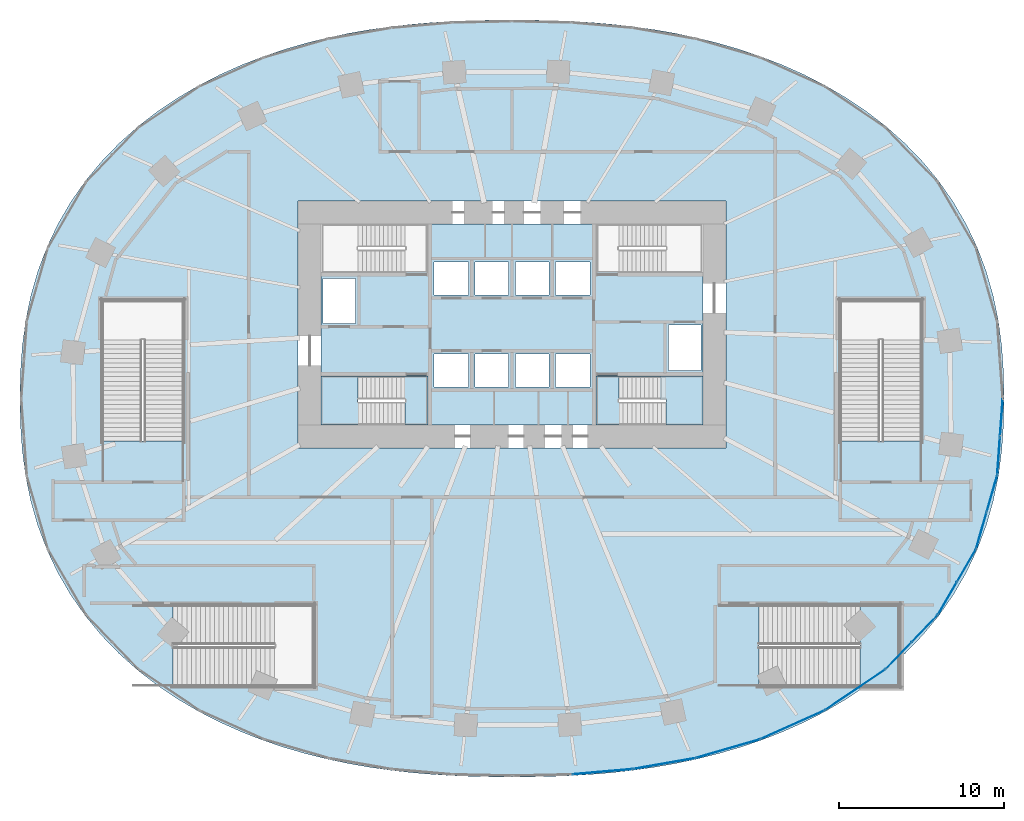
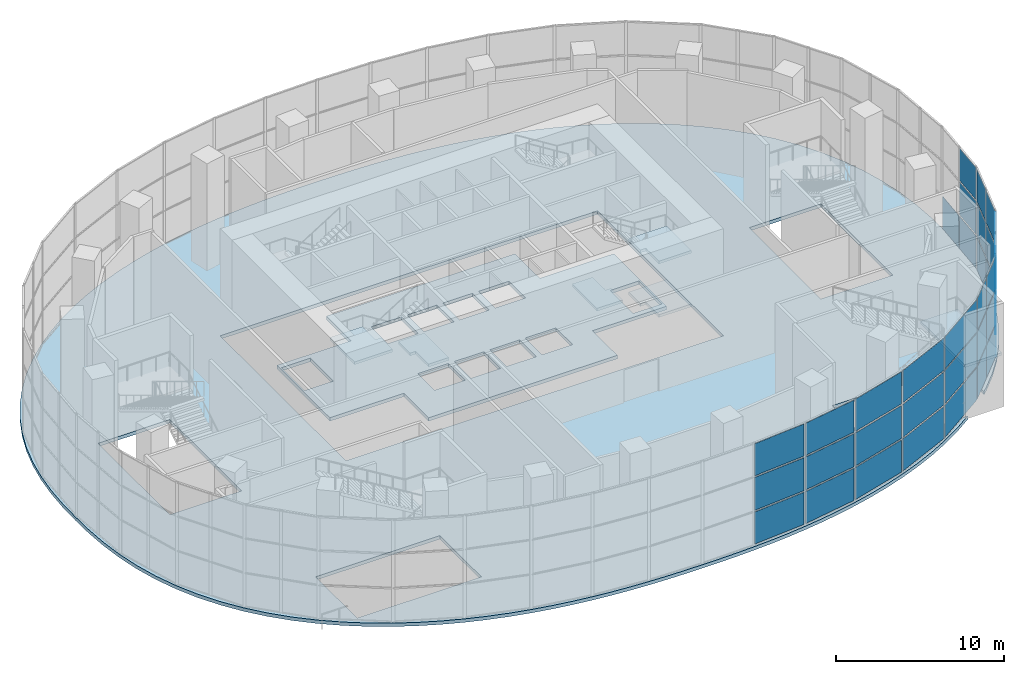
# One storey, part 11 of 22: 37 plates, 8 slabs, 12 elements without a shape of their own.
"""IFC4 building model written with IfcOpenShell, lengths in metres."""

from ifc_helpers import new_model, si_unit, direction, frame, origin, origin_2d, place, context, subcontext, project, spatial, polyline, rectangle, outline, extrude, material, layer, layer_set, type_object, element, aggregate, save


model = new_model("IFC4")

# Units and contexts
model_context = context("Model", 3, precision=1e-05, world=origin(), true_north=direction((0.0, 1.0)))
body_context = subcontext(model_context, "Body", "Model", "MODEL_VIEW")
ifc_project = project(units=[si_unit("LENGTHUNIT", "METRE"), si_unit("AREAUNIT", "SQUARE_METRE"), si_unit("VOLUMEUNIT", "CUBIC_METRE"), si_unit("PLANEANGLEUNIT", "RADIAN"), si_unit("MASSUNIT", "GRAM", prefix="KILO")], contexts=[model_context])

# Site, building, storey
site_placement = place(None, origin())
site = spatial("IfcSite", under=ifc_project, at=site_placement, CompositionType="ELEMENT")
building_placement = place(site_placement, origin())
building = spatial("IfcBuilding", under=site, at=building_placement, Name="Rubra Terraces Tower", CompositionType="ELEMENT")
storey_placement = place(building_placement, frame((0.0, 0.0, 7.199951171875)))
storey = spatial("IfcBuildingStorey", under=building, at=storey_placement, Name="L01", CompositionType="ELEMENT", Elevation=7.199951171875)

# Slab
ifc_material_1 = material(Name="Concrete C40", Category="concrete")
ifc_layer_1 = layer(ifc_material_1, 0.25)
ifc_layer_set_1 = layer_set([ifc_layer_1], Name="Concrete C40")
slab_type_1 = type_object("IfcSlabType", Name="Core floor slab 250 concrete", PredefinedType="FLOOR", material=ifc_layer_set_1)
slab_1_placement = place(storey_placement, frame((0.0, 0.0, -0.25)))
element("IfcSlab", 1, at=slab_1_placement, inside=storey, type_object=slab_type_1, Name="CORE FLOOR SLAB L01", PredefinedType="FLOOR", context=body_context, shape_type="SweptSolid", body=[
    extrude(outline(polyline([(-11.60009765625, 1.347900390625), (-11.60009765625, 7.652099609375), (-6.501953125, 7.652099609375), (-6.501953125, 10.60009765625), (6.501953125, 10.60009765625), (6.501953125, 7.652099609375), (11.60009765625, 7.652099609375), (11.60009765625, 1.347900390625), (6.501953125, 1.347900390625), (6.501953125, -1.60009765625), (-6.501953125, -1.60009765625), (-6.501953125, 1.347900390625), (-11.60009765625, 1.347900390625)]), holes=[polyline([(9.5, 1.699951171875), (11.5, 1.699951171875), (11.5, 4.449951171875), (9.5, 4.449951171875), (9.5, 1.699951171875)]), polyline([(4.75, 0.699951171875), (4.75, 2.699951171875), (2.64990234375, 2.699951171875), (2.64990234375, 0.699951171875), (4.75, 0.699951171875)]), polyline([(4.75, 6.300048828125), (4.75, 8.300048828125), (2.64990234375, 8.300048828125), (2.64990234375, 6.300048828125), (4.75, 6.300048828125)]), polyline([(2.25, 0.699951171875), (2.25, 2.699951171875), (0.199951171875, 2.699951171875), (0.199951171875, 0.699951171875), (2.25, 0.699951171875)]), polyline([(2.25, 6.300048828125), (2.25, 8.300048828125), (0.199951171875, 8.300048828125), (0.199951171875, 6.300048828125), (2.25, 6.300048828125)]), polyline([(-0.199951171875, 0.699951171875), (-0.199951171875, 2.699951171875), (-2.25, 2.699951171875), (-2.25, 0.699951171875), (-0.199951171875, 0.699951171875)]), polyline([(-0.199951171875, 6.300048828125), (-0.199951171875, 8.300048828125), (-2.25, 8.300048828125), (-2.25, 6.300048828125), (-0.199951171875, 6.300048828125)]), polyline([(-2.64990234375, 0.699951171875), (-2.64990234375, 2.699951171875), (-4.75, 2.699951171875), (-4.75, 0.699951171875), (-2.64990234375, 0.699951171875)]), polyline([(-2.64990234375, 8.300048828125), (-4.75, 8.300048828125), (-4.75, 6.300048828125), (-2.64990234375, 6.300048828125), (-2.64990234375, 8.300048828125)]), polyline([(-9.5, 7.300048828125), (-11.5, 7.300048828125), (-11.5, 4.550048828125), (-9.5, 4.550048828125), (-9.5, 7.300048828125)])]), origin(), (0.0, 0.0, 1.0), 0.25),
])

# Stair, slabs
stair_type_1 = type_object("IfcStairType", Name="Core stair 1400", PredefinedType="HALF_TURN_STAIR", material=ifc_material_1)
stair_1_placement = place(storey_placement, origin())
stair_1 = element("IfcStair", 2, at=stair_1_placement, inside=storey, type_object=stair_type_1, Name="L01 Exit stair S1", PredefinedType="HALF_TURN_STAIR")
ifc_layer_2 = layer(ifc_material_1, 0.199951171875)
ifc_layer_set_2 = layer_set([ifc_layer_2], Name="Concrete C40")
slab_type_2 = type_object("IfcSlabType", Name="Core stair landing 200", PredefinedType="LANDING", material=ifc_layer_set_2)
slab_2_placement = place(storey_placement, frame((0.0, 0.0, 3.699951171875)))
slab_2 = element("IfcSlab", 3, at=slab_2_placement, type_object=slab_type_2, Name="S1 landing 2", PredefinedType="LANDING", context=body_context, shape_type="SweptSolid", body=[
    extrude(outline(polyline([(-6.5, -0.199951171875), (-6.5, -0.050048828125), (-6.8798828125, -0.050048828125), (-6.8798828125, 1.35009765625), (-6.5, 1.35009765625), (-6.47998046875, 1.35009765625), (-5.10009765625, 1.35009765625), (-5.10009765625, -1.60009765625), (-6.47998046875, -1.60009765625), (-6.5, -1.60009765625), (-6.501953125, -1.60009765625), (-6.501953125, -0.199951171875), (-6.5, -0.199951171875)])), origin(), (0.0, 0.0, 1.0), 0.2001953125),
])
slab_3_placement = place(storey_placement, frame((0.0, 0.0, 5.650146484375)))
slab_3 = element("IfcSlab", 4, at=slab_3_placement, type_object=slab_type_2, Name="S1 landing 3", PredefinedType="LANDING", context=body_context, shape_type="SweptSolid", body=[
    extrude(outline(polyline([(-8.97998046875, -0.199951171875), (-8.97998046875, -1.60009765625), (-9.360107421875, -1.60009765625), (-9.3798828125, -1.60009765625), (-11.60009765625, -1.60009765625), (-11.60009765625, 1.35009765625), (-9.3798828125, 1.35009765625), (-9.35791015625, 1.35009765625), (-9.35791015625, -0.050048828125), (-9.360107421875, -0.050048828125), (-9.360107421875, -0.199951171875), (-8.97998046875, -0.199951171875)])), origin(), (0.0, 0.0, 1.0), 0.199951171875),
])
aggregate(stair_1, [slab_2, slab_3])

stair_2_placement = place(storey_placement, origin())
stair_2 = element("IfcStair", 5, at=stair_2_placement, inside=storey, type_object=stair_type_1, Name="L01 Exit stair S4", PredefinedType="HALF_TURN_STAIR")
slab_4_placement = place(storey_placement, frame((0.0, 0.0, 1.75)))
slab_4 = element("IfcSlab", 6, at=slab_4_placement, type_object=slab_type_2, Name="S4 landing 1", PredefinedType="LANDING", context=body_context, shape_type="SweptSolid", body=[
    extrude(outline(polyline([(9.360107421875, -0.199951171875), (9.360107421875, -0.050048828125), (8.97998046875, -0.050048828125), (8.97998046875, 1.35009765625), (9.360107421875, 1.35009765625), (9.3798828125, 1.35009765625), (11.60009765625, 1.35009765625), (11.60009765625, -1.60009765625), (9.3798828125, -1.60009765625), (9.360107421875, -1.60009765625), (9.35791015625, -1.60009765625), (9.35791015625, -0.199951171875), (9.360107421875, -0.199951171875)])), origin(), (0.0, 0.0, 1.0), 0.199951171875),
])
slab_5_placement = place(storey_placement, frame((0.0, 0.0, 3.699951171875)))
slab_5 = element("IfcSlab", 7, at=slab_5_placement, type_object=slab_type_2, Name="S4 landing 2", PredefinedType="LANDING", context=body_context, shape_type="SweptSolid", body=[
    extrude(outline(polyline([(6.8798828125, -0.199951171875), (6.8798828125, -1.60009765625), (6.5, -1.60009765625), (6.47998046875, -1.60009765625), (5.10009765625, -1.60009765625), (5.10009765625, 1.35009765625), (6.47998046875, 1.35009765625), (6.501953125, 1.35009765625), (6.501953125, -0.050048828125), (6.5, -0.050048828125), (6.5, -0.199951171875), (6.8798828125, -0.199951171875)])), origin(), (0.0, 0.0, 1.0), 0.2001953125),
])
slab_6_placement = place(storey_placement, frame((0.0, 0.0, 5.650146484375)))
slab_6 = element("IfcSlab", 8, at=slab_6_placement, type_object=slab_type_2, Name="S4 landing 3", PredefinedType="LANDING", context=body_context, shape_type="SweptSolid", body=[
    extrude(outline(polyline([(9.360107421875, -0.199951171875), (9.360107421875, -0.050048828125), (8.97998046875, -0.050048828125), (8.97998046875, 1.35009765625), (9.360107421875, 1.35009765625), (9.3798828125, 1.35009765625), (11.60009765625, 1.35009765625), (11.60009765625, -1.60009765625), (9.3798828125, -1.60009765625), (9.360107421875, -1.60009765625), (9.35791015625, -1.60009765625), (9.35791015625, -0.199951171875), (9.360107421875, -0.199951171875)])), origin(), (0.0, 0.0, 1.0), 0.199951171875),
])
aggregate(stair_2, [slab_4, slab_5, slab_6])

# Slab
ifc_layer_3 = layer(ifc_material_1, 0.25)
ifc_layer_set_3 = layer_set([ifc_layer_3], Name="Concrete C40")
slab_type_3 = type_object("IfcSlabType", Name="FLOOR SLAB 250 COMPOSITE", PredefinedType="FLOOR", material=ifc_layer_set_3)
slab_7_placement = place(storey_placement, frame((0.0, 0.0, -0.25)))
element("IfcSlab", 9, at=slab_7_placement, inside=storey, type_object=slab_type_3, Name="FLOOR SLAB L01", PredefinedType="FLOOR", context=body_context, shape_type="SweptSolid", body=[
    extrude(outline(polyline([(28.819091796875, -7.719970703125), (29.25, -6.216064453125), (29.56298828125, -4.681884765625), (29.76708984375, -3.12890625), (29.873046875, -1.56591796875), (29.89990234375, 0.0), (29.873046875, 1.56591796875), (29.76708984375, 3.12890625), (29.56298828125, 4.681884765625), (29.25, 6.216064453125), (28.819091796875, 7.719970703125), (28.26806640625, 9.18505859375), (27.60205078125, 10.591064453125), (26.820068359375, 11.93603515625), (25.929931640625, 13.2119140625), (24.951904296875, 14.39501953125), (23.885009765625, 15.5), (22.739013671875, 16.52099609375), (21.555908203125, 17.43505859375), (20.31591796875, 18.27001953125), (19.02587890625, 19.02587890625), (17.7490234375, 19.679931640625), (16.43896484375, 20.264892578125), (15.10107421875, 20.784912109375), (13.80810546875, 21.219970703125), (12.4970703125, 21.60009765625), (11.173095703125, 21.927978515625), (9.904052734375, 22.194091796875), (8.626953125, 22.4169921875), (7.343017578125, 22.60009765625), (6.10791015625, 22.739013671875), (4.87109375, 22.844970703125), (3.6298828125, 22.922119140625), (2.4208984375, 22.968994140625), (1.2109375, 22.993896484375), (0.0, 23.0), (-1.2109375, 22.993896484375), (-2.4208984375, 22.968994140625), (-3.6298828125, 22.922119140625), (-4.87109375, 22.844970703125), (-6.10791015625, 22.739013671875), (-7.343017578125, 22.60009765625), (-8.626953125, 22.4169921875), (-9.904052734375, 22.194091796875), (-11.173095703125, 21.927978515625), (-12.4970703125, 21.60009765625), (-13.80810546875, 21.219970703125), (-15.10107421875, 20.784912109375), (-16.43896484375, 20.264892578125), (-17.7490234375, 19.679931640625), (-19.02587890625, 19.02587890625), (-20.31591796875, 18.27001953125), (-21.555908203125, 17.43505859375), (-22.739013671875, 16.52099609375), (-23.885009765625, 15.5), (-24.951904296875, 14.39501953125), (-25.929931640625, 13.2119140625), (-26.820068359375, 11.93603515625), (-27.60205078125, 10.591064453125), (-28.26806640625, 9.18505859375), (-28.819091796875, 7.719970703125), (-29.25, 6.216064453125), (-29.56298828125, 4.681884765625), (-29.76708984375, 3.12890625), (-29.873046875, 1.56591796875), (-29.89990234375, 0.0), (-29.873046875, -1.56591796875), (-29.76708984375, -3.12890625), (-29.56298828125, -4.681884765625), (-29.25, -6.216064453125), (-28.819091796875, -7.719970703125), (-28.26806640625, -9.18505859375), (-27.60205078125, -10.591064453125), (-26.820068359375, -11.93603515625), (-25.929931640625, -13.2119140625), (-24.951904296875, -14.39501953125), (-23.885009765625, -15.5), (-22.739013671875, -16.52099609375), (-21.555908203125, -17.43505859375), (-20.31591796875, -18.27001953125), (-19.02587890625, -19.02587890625), (-17.7490234375, -19.679931640625), (-16.43896484375, -20.264892578125), (-15.10107421875, -20.784912109375), (-13.80810546875, -21.219970703125), (-12.4970703125, -21.60009765625), (-11.173095703125, -21.927978515625), (-9.904052734375, -22.194091796875), (-8.626953125, -22.4169921875), (-7.343017578125, -22.60009765625), (-6.10791015625, -22.739013671875), (-4.87109375, -22.844970703125), (-3.6298828125, -22.922119140625), (-2.4208984375, -22.968994140625), (-1.2109375, -22.993896484375), (0.0, -23.0), (1.2109375, -22.993896484375), (2.4208984375, -22.968994140625), (3.6298828125, -22.922119140625), (4.87109375, -22.844970703125), (6.10791015625, -22.739013671875), (7.343017578125, -22.60009765625), (8.626953125, -22.4169921875), (9.904052734375, -22.194091796875), (11.173095703125, -21.927978515625), (12.4970703125, -21.60009765625), (13.80810546875, -21.219970703125), (15.10107421875, -20.784912109375), (16.43896484375, -20.264892578125), (17.7490234375, -19.679931640625), (19.02587890625, -19.02587890625), (20.31591796875, -18.27001953125), (21.458984375, -17.5), (15.0009765625, -17.5), (15.0009765625, -12.550048828125), (23.56005859375, -12.550048828125), (23.56005859375, -15.7900390625), (23.885009765625, -15.5), (24.951904296875, -14.39501953125), (25.929931640625, -13.2119140625), (26.820068359375, -11.93603515625), (27.60205078125, -10.591064453125), (28.26806640625, -9.18505859375), (28.819091796875, -7.719970703125)]), holes=[polyline([(13.0, 12.0), (13.0, -3.0), (-13.0, -3.0), (-13.0, 12.0), (13.0, 12.0)]), polyline([(-19.949951171875, -2.59912109375), (-24.89990234375, -2.59912109375), (-24.89990234375, 5.9599609375), (-19.949951171875, 5.9599609375), (-19.949951171875, -2.59912109375)]), polyline([(19.949951171875, -2.59912109375), (19.949951171875, 5.9599609375), (24.89990234375, 5.9599609375), (24.89990234375, -2.59912109375), (19.949951171875, -2.59912109375)]), polyline([(-12.0400390625, -12.550048828125), (-12.0400390625, -17.5), (-20.59912109375, -17.5), (-20.59912109375, -12.550048828125), (-12.0400390625, -12.550048828125)])]), origin(), (0.0, 0.0, 1.0), 0.25),
])

# Curtain wall, plates
ifc_material_2 = material(Name="Aluminium and glass", Category="aluminium")
curtain_wall_type = type_object("IfcCurtainWallType", Name="Curtain wall Podium glazing", PredefinedType="NOTDEFINED", material=ifc_material_2)
curtain_wall_1_placement = place(storey_placement, origin())
curtain_wall_1 = element("IfcCurtainWall", 10, at=curtain_wall_1_placement, inside=storey, type_object=curtain_wall_type, Name="L01 glazing bay 32", PredefinedType="NOTDEFINED")
ifc_material_3 = material(Name="Clear glass, laminated", Category="glass")
ifc_layer_4 = layer(ifc_material_3, 0.028076171875)
ifc_layer_set_4 = layer_set([ifc_layer_4], Name="Clear glass, laminated")
plate_type = type_object("IfcPlateType", Name="Podium glazing glass panel 28", PredefinedType="CURTAIN_PANEL", material=ifc_layer_set_4)
plate_1_placement = place(storey_placement, frame((5.47998046875, -22.686279296875, 0.1201171875), z_axis=(0.0, 0.0, 1.0), x_axis=(0.996260697637, 0.08639804595, 0.0)))
plate_1 = element("IfcPlate", 11, at=plate_1_placement, type_object=plate_type, Name="CW1 panel 1.1", PredefinedType="CURTAIN_PANEL", context=body_context, shape_type="SweptSolid", body=[
    extrude(rectangle(XDim=3.60693359375, YDim=0.028076171875, at=origin_2d()), origin(), (0.0, 0.0, 1.0), 2.336669921875),
])
plate_2_placement = place(storey_placement, frame((5.47998046875, -22.686279296875, 2.576904296875), z_axis=(0.0, 0.0, 1.0), x_axis=(0.996260697637, 0.08639804595, 0.0)))
plate_2 = element("IfcPlate", 12, at=plate_2_placement, type_object=plate_type, Name="CW1 panel 1.2", PredefinedType="CURTAIN_PANEL", context=body_context, shape_type="SweptSolid", body=[
    extrude(rectangle(XDim=3.60693359375, YDim=0.028076171875, at=origin_2d()), origin(), (0.0, 0.0, 1.0), 2.396484375),
])
plate_3_placement = place(storey_placement, frame((5.47998046875, -22.686279296875, 5.09326171875), z_axis=(0.0, 0.0, 1.0), x_axis=(0.996260697637, 0.08639804595, 0.0)))
plate_3 = element("IfcPlate", 13, at=plate_3_placement, type_object=plate_type, Name="CW1 panel 1.3", PredefinedType="CURTAIN_PANEL", context=body_context, shape_type="SweptSolid", body=[
    extrude(rectangle(XDim=3.60693359375, YDim=0.028076171875, at=origin_2d()), origin(), (0.0, 0.0, 1.0), 2.336669921875),
])
aggregate(curtain_wall_1, [plate_1, plate_2, plate_3])

curtain_wall_2_placement = place(storey_placement, origin())
curtain_wall_2 = element("IfcCurtainWall", 14, at=curtain_wall_2_placement, inside=storey, type_object=curtain_wall_type, Name="L01 glazing bay 33", PredefinedType="NOTDEFINED")
plate_4_placement = place(storey_placement, frame((9.2451171875, -22.190185546875, 0.1201171875), z_axis=(0.0, 0.0, 1.0), x_axis=(0.984953952909, 0.172816985997, 0.0)))
plate_4 = element("IfcPlate", 15, at=plate_4_placement, type_object=plate_type, Name="CW1 panel 1.1", PredefinedType="CURTAIN_PANEL", context=body_context, shape_type="SweptSolid", body=[
    extrude(rectangle(XDim=3.7685546875, YDim=0.028076171875, at=origin_2d()), origin(), (0.0, 0.0, 1.0), 2.336669921875),
])
plate_5_placement = place(storey_placement, frame((9.2451171875, -22.190185546875, 2.576904296875), z_axis=(0.0, 0.0, 1.0), x_axis=(0.984953952909, 0.172816985997, 0.0)))
plate_5 = element("IfcPlate", 16, at=plate_5_placement, type_object=plate_type, Name="CW1 panel 1.2", PredefinedType="CURTAIN_PANEL", context=body_context, shape_type="SweptSolid", body=[
    extrude(rectangle(XDim=3.7685546875, YDim=0.028076171875, at=origin_2d()), origin(), (0.0, 0.0, 1.0), 2.396484375),
])
plate_6_placement = place(storey_placement, frame((9.2451171875, -22.190185546875, 5.09326171875), z_axis=(0.0, 0.0, 1.0), x_axis=(0.984953952909, 0.172816985997, 0.0)))
plate_6 = element("IfcPlate", 17, at=plate_6_placement, type_object=plate_type, Name="CW1 panel 1.3", PredefinedType="CURTAIN_PANEL", context=body_context, shape_type="SweptSolid", body=[
    extrude(rectangle(XDim=3.7685546875, YDim=0.028076171875, at=origin_2d()), origin(), (0.0, 0.0, 1.0), 2.336669921875),
])
aggregate(curtain_wall_2, [plate_4, plate_5, plate_6])

curtain_wall_3_placement = place(storey_placement, origin())
curtain_wall_3 = element("IfcCurtainWall", 18, at=curtain_wall_3_placement, inside=storey, type_object=curtain_wall_type, Name="L01 glazing bay 34", PredefinedType="NOTDEFINED")
plate_7_placement = place(storey_placement, frame((13.115966796875, -21.284423828125, 0.1201171875), z_axis=(0.0, 0.0, 1.0), x_axis=(0.96017502931, 0.279399200229, 0.0)))
plate_7 = element("IfcPlate", 19, at=plate_7_placement, type_object=plate_type, Name="CW1 panel 1.1", PredefinedType="CURTAIN_PANEL", context=body_context, shape_type="SweptSolid", body=[
    extrude(rectangle(XDim=3.970947265625, YDim=0.028076171875, at=origin_2d()), origin(), (0.0, 0.0, 1.0), 2.336669921875),
])
plate_8_placement = place(storey_placement, frame((13.115966796875, -21.284423828125, 2.576904296875), z_axis=(0.0, 0.0, 1.0), x_axis=(0.96017502931, 0.279399200229, 0.0)))
plate_8 = element("IfcPlate", 20, at=plate_8_placement, type_object=plate_type, Name="CW1 panel 1.2", PredefinedType="CURTAIN_PANEL", context=body_context, shape_type="SweptSolid", body=[
    extrude(rectangle(XDim=3.970947265625, YDim=0.028076171875, at=origin_2d()), origin(), (0.0, 0.0, 1.0), 2.396484375),
])
plate_9_placement = place(storey_placement, frame((13.115966796875, -21.284423828125, 5.09326171875), z_axis=(0.0, 0.0, 1.0), x_axis=(0.96017502931, 0.279399200229, 0.0)))
plate_9 = element("IfcPlate", 21, at=plate_9_placement, type_object=plate_type, Name="CW1 panel 1.3", PredefinedType="CURTAIN_PANEL", context=body_context, shape_type="SweptSolid", body=[
    extrude(rectangle(XDim=3.970947265625, YDim=0.028076171875, at=origin_2d()), origin(), (0.0, 0.0, 1.0), 2.336669921875),
])
aggregate(curtain_wall_3, [plate_7, plate_8, plate_9])

curtain_wall_4_placement = place(storey_placement, origin())
curtain_wall_4 = element("IfcCurtainWall", 22, at=curtain_wall_4_placement, inside=storey, type_object=curtain_wall_type, Name="L01 glazing bay 35", PredefinedType="NOTDEFINED")
plate_10_placement = place(storey_placement, frame((17.03271484375, -19.837158203125, 0.1201171875), z_axis=(0.0, 0.0, 1.0), x_axis=(0.912551215254, 0.4089624427, 0.0)))
plate_10 = element("IfcPlate", 23, at=plate_10_placement, type_object=plate_type, Name="CW1 panel 1.1", PredefinedType="CURTAIN_PANEL", context=body_context, shape_type="SweptSolid", body=[
    extrude(rectangle(XDim=4.18115234375, YDim=0.028076171875, at=origin_2d()), origin(), (0.0, 0.0, 1.0), 2.336669921875),
])
plate_11_placement = place(storey_placement, frame((17.03271484375, -19.837158203125, 2.576904296875), z_axis=(0.0, 0.0, 1.0), x_axis=(0.912551215254, 0.4089624427, 0.0)))
plate_11 = element("IfcPlate", 24, at=plate_11_placement, type_object=plate_type, Name="CW1 panel 1.2", PredefinedType="CURTAIN_PANEL", context=body_context, shape_type="SweptSolid", body=[
    extrude(rectangle(XDim=4.18115234375, YDim=0.028076171875, at=origin_2d()), origin(), (0.0, 0.0, 1.0), 2.396484375),
])
plate_12_placement = place(storey_placement, frame((17.03271484375, -19.837158203125, 5.09326171875), z_axis=(0.0, 0.0, 1.0), x_axis=(0.912551215254, 0.4089624427, 0.0)))
plate_12 = element("IfcPlate", 25, at=plate_12_placement, type_object=plate_type, Name="CW1 panel 1.3", PredefinedType="CURTAIN_PANEL", context=body_context, shape_type="SweptSolid", body=[
    extrude(rectangle(XDim=4.18115234375, YDim=0.028076171875, at=origin_2d()), origin(), (0.0, 0.0, 1.0), 2.336669921875),
])
aggregate(curtain_wall_4, [plate_10, plate_11, plate_12])

curtain_wall_5_placement = place(storey_placement, origin())
curtain_wall_5 = element("IfcCurtainWall", 26, at=curtain_wall_5_placement, inside=storey, type_object=curtain_wall_type, Name="L01 glazing bay 36", PredefinedType="NOTDEFINED")
plate_13_placement = place(storey_placement, frame((20.840576171875, -17.711181640625, 0.1201171875), z_axis=(0.0, 0.0, 1.0), x_axis=(0.828980654031, 0.55927727939, 0.0)))
plate_13 = element("IfcPlate", 27, at=plate_13_placement, type_object=plate_type, Name="CW1 panel 1.1", PredefinedType="CURTAIN_PANEL", context=body_context, shape_type="SweptSolid", body=[
    extrude(rectangle(XDim=4.35888671875, YDim=0.028076171875, at=origin_2d()), origin(), (0.0, 0.0, 1.0), 2.336669921875),
])
plate_14_placement = place(storey_placement, frame((20.840576171875, -17.711181640625, 2.576904296875), z_axis=(0.0, 0.0, 1.0), x_axis=(0.828980654031, 0.55927727939, 0.0)))
plate_14 = element("IfcPlate", 28, at=plate_14_placement, type_object=plate_type, Name="CW1 panel 1.2", PredefinedType="CURTAIN_PANEL", context=body_context, shape_type="SweptSolid", body=[
    extrude(rectangle(XDim=4.35888671875, YDim=0.028076171875, at=origin_2d()), origin(), (0.0, 0.0, 1.0), 2.396484375),
])
plate_15_placement = place(storey_placement, frame((20.840576171875, -17.711181640625, 5.09326171875), z_axis=(0.0, 0.0, 1.0), x_axis=(0.828980654031, 0.55927727939, 0.0)))
plate_15 = element("IfcPlate", 29, at=plate_15_placement, type_object=plate_type, Name="CW1 panel 1.3", PredefinedType="CURTAIN_PANEL", context=body_context, shape_type="SweptSolid", body=[
    extrude(rectangle(XDim=4.35888671875, YDim=0.028076171875, at=origin_2d()), origin(), (0.0, 0.0, 1.0), 2.336669921875),
])
aggregate(curtain_wall_5, [plate_13, plate_14, plate_15])

curtain_wall_6_placement = place(storey_placement, origin())
curtain_wall_6 = element("IfcCurtainWall", 30, at=curtain_wall_6_placement, inside=storey, type_object=curtain_wall_type, Name="L01 glazing bay 37", PredefinedType="NOTDEFINED")
plate_16_placement = place(storey_placement, frame((23.4931640625, -15.630859375, 0.1201171875), z_axis=(0.0, 0.0, 1.0), x_axis=(0.69415569917, 0.71982488517, 0.0)))
plate_16 = element("IfcPlate", 31, at=plate_16_placement, type_object=plate_type, Name="CW1 panel 1.1", PredefinedType="CURTAIN_PANEL", context=body_context, shape_type="SweptSolid", body=[
    extrude(rectangle(XDim=2.20849609375, YDim=0.028076171875, at=origin_2d()), origin(), (0.0, 0.0, 1.0), 2.336669921875),
])
plate_17_placement = place(storey_placement, frame((23.4931640625, -15.630859375, 2.576904296875), z_axis=(0.0, 0.0, 1.0), x_axis=(0.69415569917, 0.71982488517, 0.0)))
plate_17 = element("IfcPlate", 32, at=plate_17_placement, type_object=plate_type, Name="CW1 panel 1.2", PredefinedType="CURTAIN_PANEL", context=body_context, shape_type="SweptSolid", body=[
    extrude(rectangle(XDim=2.20849609375, YDim=0.028076171875, at=origin_2d()), origin(), (0.0, 0.0, 1.0), 2.396484375),
])
plate_18_placement = place(storey_placement, frame((23.4931640625, -15.630859375, 5.09326171875), z_axis=(0.0, 0.0, 1.0), x_axis=(0.69415569917, 0.71982488517, 0.0)))
plate_18 = element("IfcPlate", 33, at=plate_18_placement, type_object=plate_type, Name="CW1 panel 1.3", PredefinedType="CURTAIN_PANEL", context=body_context, shape_type="SweptSolid", body=[
    extrude(rectangle(XDim=2.20849609375, YDim=0.028076171875, at=origin_2d()), origin(), (0.0, 0.0, 1.0), 2.336669921875),
])
plate_19_placement = place(storey_placement, frame((25.06787109375, -13.998046875, 0.1201171875), z_axis=(0.0, 0.0, 1.0), x_axis=(0.69415569917, 0.71982488517, 0.0)))
plate_19 = element("IfcPlate", 34, at=plate_19_placement, type_object=plate_type, Name="CW1 panel 2.1", PredefinedType="CURTAIN_PANEL", context=body_context, shape_type="SweptSolid", body=[
    extrude(rectangle(XDim=2.20849609375, YDim=0.028076171875, at=origin_2d()), origin(), (0.0, 0.0, 1.0), 2.336669921875),
])
plate_20_placement = place(storey_placement, frame((25.06787109375, -13.998046875, 2.576904296875), z_axis=(0.0, 0.0, 1.0), x_axis=(0.69415569917, 0.71982488517, 0.0)))
plate_20 = element("IfcPlate", 35, at=plate_20_placement, type_object=plate_type, Name="CW1 panel 2.2", PredefinedType="CURTAIN_PANEL", context=body_context, shape_type="SweptSolid", body=[
    extrude(rectangle(XDim=2.20849609375, YDim=0.028076171875, at=origin_2d()), origin(), (0.0, 0.0, 1.0), 2.396484375),
])
plate_21_placement = place(storey_placement, frame((25.06787109375, -13.998046875, 5.09326171875), z_axis=(0.0, 0.0, 1.0), x_axis=(0.69415569917, 0.71982488517, 0.0)))
plate_21 = element("IfcPlate", 36, at=plate_21_placement, type_object=plate_type, Name="CW1 panel 2.3", PredefinedType="CURTAIN_PANEL", context=body_context, shape_type="SweptSolid", body=[
    extrude(rectangle(XDim=2.20849609375, YDim=0.028076171875, at=origin_2d()), origin(), (0.0, 0.0, 1.0), 2.336669921875),
])
aggregate(curtain_wall_6, [plate_16, plate_17, plate_18, plate_19, plate_20, plate_21])

curtain_wall_7_placement = place(storey_placement, origin())
curtain_wall_7 = element("IfcCurtainWall", 37, at=curtain_wall_7_placement, inside=storey, type_object=curtain_wall_type, Name="L01 glazing bay 38", PredefinedType="NOTDEFINED")
plate_22_placement = place(storey_placement, frame((26.45703125, -12.154541015625, 0.1201171875), z_axis=(0.0, 0.0, 1.0), x_axis=(0.502094070187, 0.864813011398, 0.0)))
plate_22 = element("IfcPlate", 38, at=plate_22_placement, type_object=plate_type, Name="CW1 panel 1.1", PredefinedType="CURTAIN_PANEL", context=body_context, shape_type="SweptSolid", body=[
    extrude(rectangle(XDim=2.23828125, YDim=0.028076171875, at=origin_2d()), origin(), (0.0, 0.0, 1.0), 2.336669921875),
])
plate_23_placement = place(storey_placement, frame((26.45703125, -12.154541015625, 2.576904296875), z_axis=(0.0, 0.0, 1.0), x_axis=(0.502094070187, 0.864813011398, 0.0)))
plate_23 = element("IfcPlate", 39, at=plate_23_placement, type_object=plate_type, Name="CW1 panel 1.2", PredefinedType="CURTAIN_PANEL", context=body_context, shape_type="SweptSolid", body=[
    extrude(rectangle(XDim=2.23828125, YDim=0.028076171875, at=origin_2d()), origin(), (0.0, 0.0, 1.0), 2.396484375),
])
plate_24_placement = place(storey_placement, frame((26.45703125, -12.154541015625, 5.09326171875), z_axis=(0.0, 0.0, 1.0), x_axis=(0.502094070187, 0.864813011398, 0.0)))
plate_24 = element("IfcPlate", 40, at=plate_24_placement, type_object=plate_type, Name="CW1 panel 1.3", PredefinedType="CURTAIN_PANEL", context=body_context, shape_type="SweptSolid", body=[
    extrude(rectangle(XDim=2.23828125, YDim=0.028076171875, at=origin_2d()), origin(), (0.0, 0.0, 1.0), 2.336669921875),
])
plate_25_placement = place(storey_placement, frame((27.611083984375, -10.1669921875, 0.1201171875), z_axis=(0.0, 0.0, 1.0), x_axis=(0.502094070187, 0.864813011398, 0.0)))
plate_25 = element("IfcPlate", 41, at=plate_25_placement, type_object=plate_type, Name="CW1 panel 2.1", PredefinedType="CURTAIN_PANEL", context=body_context, shape_type="SweptSolid", body=[
    extrude(rectangle(XDim=2.23828125, YDim=0.028076171875, at=origin_2d()), origin(), (0.0, 0.0, 1.0), 2.336669921875),
])
plate_26_placement = place(storey_placement, frame((27.611083984375, -10.1669921875, 2.576904296875), z_axis=(0.0, 0.0, 1.0), x_axis=(0.502094070187, 0.864813011398, 0.0)))
plate_26 = element("IfcPlate", 42, at=plate_26_placement, type_object=plate_type, Name="CW1 panel 2.2", PredefinedType="CURTAIN_PANEL", context=body_context, shape_type="SweptSolid", body=[
    extrude(rectangle(XDim=2.23828125, YDim=0.028076171875, at=origin_2d()), origin(), (0.0, 0.0, 1.0), 2.396484375),
])
plate_27_placement = place(storey_placement, frame((27.611083984375, -10.1669921875, 5.09326171875), z_axis=(0.0, 0.0, 1.0), x_axis=(0.502094070187, 0.864813011398, 0.0)))
plate_27 = element("IfcPlate", 43, at=plate_27_placement, type_object=plate_type, Name="CW1 panel 2.3", PredefinedType="CURTAIN_PANEL", context=body_context, shape_type="SweptSolid", body=[
    extrude(rectangle(XDim=2.23828125, YDim=0.028076171875, at=origin_2d()), origin(), (0.0, 0.0, 1.0), 2.336669921875),
])
aggregate(curtain_wall_7, [plate_22, plate_23, plate_24, plate_25, plate_26, plate_27])

curtain_wall_8_placement = place(storey_placement, origin())
curtain_wall_8 = element("IfcCurtainWall", 44, at=curtain_wall_8_placement, inside=storey, type_object=curtain_wall_type, Name="L01 glazing bay 39", PredefinedType="NOTDEFINED")
plate_28_placement = place(storey_placement, frame((28.523681640625, -8.024169921875, 0.1201171875), z_axis=(0.0, 0.0, 1.0), x_axis=(0.276383811798, 0.961047339404, 0.0)))
plate_28 = element("IfcPlate", 45, at=plate_28_placement, type_object=plate_type, Name="CW1 panel 1.1", PredefinedType="CURTAIN_PANEL", context=body_context, shape_type="SweptSolid", body=[
    extrude(rectangle(XDim=2.252685546875, YDim=0.028076171875, at=origin_2d()), origin(), (0.0, 0.0, 1.0), 2.336669921875),
])
plate_29_placement = place(storey_placement, frame((28.523681640625, -8.024169921875, 2.576904296875), z_axis=(0.0, 0.0, 1.0), x_axis=(0.276383811798, 0.961047339404, 0.0)))
plate_29 = element("IfcPlate", 46, at=plate_29_placement, type_object=plate_type, Name="CW1 panel 1.2", PredefinedType="CURTAIN_PANEL", context=body_context, shape_type="SweptSolid", body=[
    extrude(rectangle(XDim=2.252685546875, YDim=0.028076171875, at=origin_2d()), origin(), (0.0, 0.0, 1.0), 2.396484375),
])
plate_30_placement = place(storey_placement, frame((28.523681640625, -8.024169921875, 5.09326171875), z_axis=(0.0, 0.0, 1.0), x_axis=(0.276383811798, 0.961047339404, 0.0)))
plate_30 = element("IfcPlate", 47, at=plate_30_placement, type_object=plate_type, Name="CW1 panel 1.3", PredefinedType="CURTAIN_PANEL", context=body_context, shape_type="SweptSolid", body=[
    extrude(rectangle(XDim=2.252685546875, YDim=0.028076171875, at=origin_2d()), origin(), (0.0, 0.0, 1.0), 2.336669921875),
])
plate_31_placement = place(storey_placement, frame((29.1630859375, -5.801513671875, 0.1201171875), z_axis=(0.0, 0.0, 1.0), x_axis=(0.276383811798, 0.961047339404, 0.0)))
plate_31 = element("IfcPlate", 48, at=plate_31_placement, type_object=plate_type, Name="CW1 panel 2.1", PredefinedType="CURTAIN_PANEL", context=body_context, shape_type="SweptSolid", body=[
    extrude(rectangle(XDim=2.252685546875, YDim=0.028076171875, at=origin_2d()), origin(), (0.0, 0.0, 1.0), 2.336669921875),
])
plate_32_placement = place(storey_placement, frame((29.1630859375, -5.801513671875, 2.576904296875), z_axis=(0.0, 0.0, 1.0), x_axis=(0.276383811798, 0.961047339404, 0.0)))
plate_32 = element("IfcPlate", 49, at=plate_32_placement, type_object=plate_type, Name="CW1 panel 2.2", PredefinedType="CURTAIN_PANEL", context=body_context, shape_type="SweptSolid", body=[
    extrude(rectangle(XDim=2.252685546875, YDim=0.028076171875, at=origin_2d()), origin(), (0.0, 0.0, 1.0), 2.396484375),
])
plate_33_placement = place(storey_placement, frame((29.1630859375, -5.801513671875, 5.09326171875), z_axis=(0.0, 0.0, 1.0), x_axis=(0.276383811798, 0.961047339404, 0.0)))
plate_33 = element("IfcPlate", 50, at=plate_33_placement, type_object=plate_type, Name="CW1 panel 2.3", PredefinedType="CURTAIN_PANEL", context=body_context, shape_type="SweptSolid", body=[
    extrude(rectangle(XDim=2.252685546875, YDim=0.028076171875, at=origin_2d()), origin(), (0.0, 0.0, 1.0), 2.336669921875),
])
aggregate(curtain_wall_8, [plate_28, plate_29, plate_30, plate_31, plate_32, plate_33])

curtain_wall_9_placement = place(storey_placement, origin())
curtain_wall_9 = element("IfcCurtainWall", 51, at=curtain_wall_9_placement, inside=storey, type_object=curtain_wall_type, Name="L01 glazing bay 40", PredefinedType="NOTDEFINED")
plate_34_placement = place(storey_placement, frame((29.573486328125, -3.4912109375, 0.1201171875), z_axis=(0.0, 0.0, 1.0), x_axis=(0.071792057306, 0.997419621076, 0.0)))
plate_34 = element("IfcPlate", 52, at=plate_34_placement, type_object=plate_type, Name="CW1 panel 1.1", PredefinedType="CURTAIN_PANEL", context=body_context, shape_type="SweptSolid", body=[
    extrude(rectangle(XDim=2.257080078125, YDim=0.028076171875, at=origin_2d()), origin(), (0.0, 0.0, 1.0), 2.336669921875),
])
plate_35_placement = place(storey_placement, frame((29.573486328125, -3.4912109375, 2.576904296875), z_axis=(0.0, 0.0, 1.0), x_axis=(0.071792057306, 0.997419621076, 0.0)))
plate_35 = element("IfcPlate", 53, at=plate_35_placement, type_object=plate_type, Name="CW1 panel 1.2", PredefinedType="CURTAIN_PANEL", context=body_context, shape_type="SweptSolid", body=[
    extrude(rectangle(XDim=2.257080078125, YDim=0.028076171875, at=origin_2d()), origin(), (0.0, 0.0, 1.0), 2.396484375),
])
plate_36_placement = place(storey_placement, frame((29.573486328125, -3.4912109375, 5.09326171875), z_axis=(0.0, 0.0, 1.0), x_axis=(0.071792057306, 0.997419621076, 0.0)))
plate_36 = element("IfcPlate", 54, at=plate_36_placement, type_object=plate_type, Name="CW1 panel 1.3", PredefinedType="CURTAIN_PANEL", context=body_context, shape_type="SweptSolid", body=[
    extrude(rectangle(XDim=2.257080078125, YDim=0.028076171875, at=origin_2d()), origin(), (0.0, 0.0, 1.0), 2.336669921875),
])
plate_37_placement = place(storey_placement, frame((29.739990234375, -1.18017578125, 0.1201171875), z_axis=(0.0, 0.0, 1.0), x_axis=(0.071792057306, 0.997419621076, 0.0)))
plate_37 = element("IfcPlate", 55, at=plate_37_placement, type_object=plate_type, Name="CW1 panel 2.1", PredefinedType="CURTAIN_PANEL", context=body_context, shape_type="SweptSolid", body=[
    extrude(rectangle(XDim=2.257080078125, YDim=0.028076171875, at=origin_2d()), origin(), (0.0, 0.0, 1.0), 2.336669921875),
])
aggregate(curtain_wall_9, [plate_34, plate_35, plate_36, plate_37])

# Stair, slab
ifc_material_4 = material(Name="Concrete C40/50", Category="concrete")
stair_type_2 = type_object("IfcStairType", Name="Public stair", PredefinedType="HALF_TURN_STAIR", material=ifc_material_4)
stair_3_placement = place(storey_placement, origin())
stair_3 = element("IfcStair", 56, at=stair_3_placement, inside=storey, type_object=stair_type_2, Name="L01 public stair PS4", PredefinedType="HALF_TURN_STAIR")
ifc_layer_5 = layer(ifc_material_4, 0.199951171875)
ifc_layer_set_5 = layer_set([ifc_layer_5], Name="Concrete C40/50")
slab_type_4 = type_object("IfcSlabType", Name="Public stair landing 200", PredefinedType="LANDING", material=ifc_layer_set_5)
slab_8_placement = place(storey_placement, frame((0.0, 0.0, 3.699951171875)))
slab_8 = element("IfcSlab", 57, at=slab_8_placement, type_object=slab_type_4, Name="PS4 landing 1", PredefinedType="LANDING", context=body_context, shape_type="SweptSolid", body=[
    extrude(outline(polyline([(21.159912109375, -17.64990234375), (23.7099609375, -17.64990234375), (23.7099609375, -12.39990234375), (21.159912109375, -12.39990234375), (21.159912109375, -17.64990234375)])), origin(), (0.0, 0.0, 1.0), 0.2001953125),
])
aggregate(stair_3, [slab_8])

save(model, "model.ifc")
